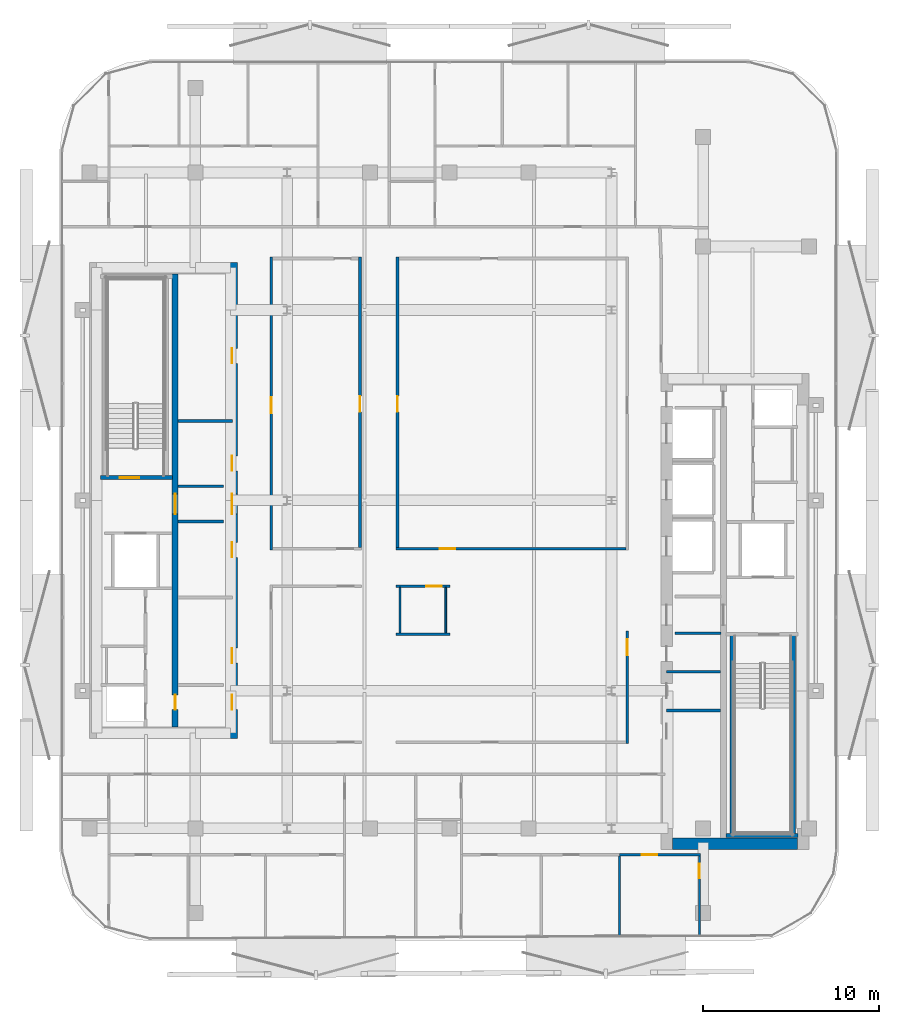
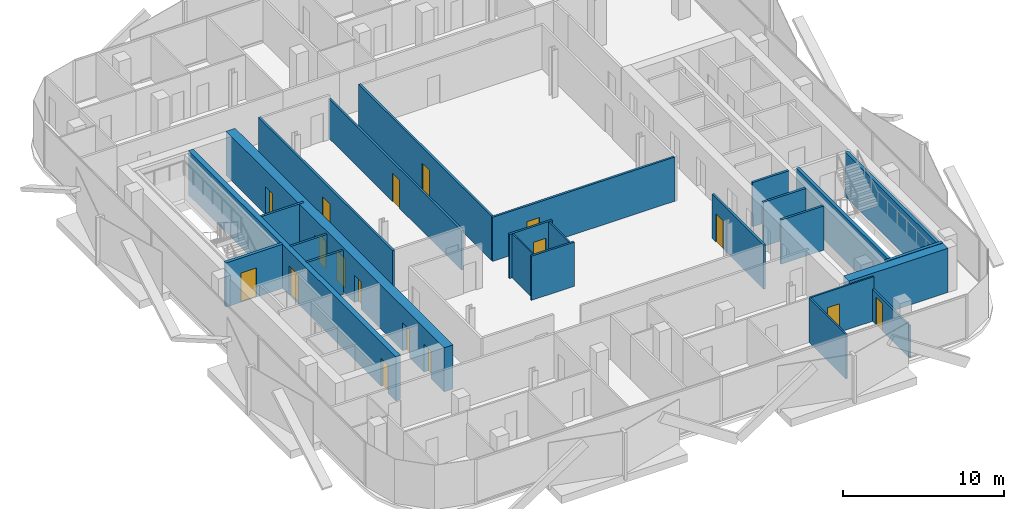
# One storey, part 4 of 14: 25 walls, 17 doors, 17 openings.
"""IFC4 building model written with IfcOpenShell, lengths in metres."""

from ifc_helpers import new_model, si_unit, direction, frame, frame_2d, origin, place, context, subcontext, project, spatial, rectangle, extrude, material, layer, layer_set, type_object, element, fill, save


model = new_model("IFC4")

# Units and contexts
model_context = context("Model", 3, precision=1e-05, world=origin(), true_north=direction((0.0, 1.0)))
body_context = subcontext(model_context, "Body", "Model", "MODEL_VIEW")
ifc_project = project(units=[si_unit("LENGTHUNIT", "METRE"), si_unit("AREAUNIT", "SQUARE_METRE"), si_unit("VOLUMEUNIT", "CUBIC_METRE"), si_unit("PLANEANGLEUNIT", "RADIAN"), si_unit("MASSUNIT", "GRAM", prefix="KILO")], contexts=[model_context])

# Site, building, storey
site_placement = place(None, origin())
site = spatial("IfcSite", under=ifc_project, at=site_placement, CompositionType="ELEMENT")
building_placement = place(site_placement, origin())
building = spatial("IfcBuilding", under=site, at=building_placement, Name="Khairoan Windgate Tower", CompositionType="ELEMENT")
storey_placement = place(building_placement, frame((0.0, 0.0, 233.199951171875)))
storey = spatial("IfcBuildingStorey", under=building, at=storey_placement, Name="L54", CompositionType="ELEMENT", Elevation=233.199951171875)

# Walls
ifc_material_1 = material(Name="Moisture-Resistant Gypsum Partition", Category="gypsum")
ifc_layer_1 = layer(ifc_material_1, 0.10009765625, Name="Moisture-Resistant Gypsum Partition")
ifc_layer_set_1 = layer_set([ifc_layer_1], Name="Moisture-Resistant Gypsum Partition")
wall_type_1 = type_object("IfcWallType", Name="Bathroom Wet-Area Partition Wall", PredefinedType="PARTITIONING", material=ifc_layer_set_1)
for number, where, z_axis, x_axis, name in (
    (1, (-0.199951171875, -4.93994140625, 0.0), (0.0, 0.0, 1.0), (0.0, -1.0, 0.0), "L54 Wet Room Side Wall 093"),
    (2, (-2.7900390625, -7.510009765625, 0.0), (0.0, 0.0, 1.0), (0.0, 1.0, 0.0), "L54 Wet Room Side Wall 094"),
):
    element("IfcWall", number, at=place(storey_placement, frame(where, z_axis=z_axis, x_axis=x_axis)), inside=storey, type_object=wall_type_1, Name=name, PredefinedType="PARTITIONING", context=body_context, shape_type="SweptSolid", body=[
        extrude(rectangle(XDim=2.570068359375, YDim=0.10009765625, at=frame_2d((1.28515625, 0.0))), origin(), (0.0, 0.0, 1.0), 3.340087890625),
    ])
ifc_material_2 = material(Name="Concrete C40/50", Category="concrete")
ifc_layer_2 = layer(ifc_material_2, 0.159912109375, Name="Concrete C40/50")
ifc_layer_set_2 = layer_set([ifc_layer_2], Name="Concrete C40/50")
wall_type_2 = type_object("IfcWallType", Name="Core and Hoistway Enclosure Wall", PredefinedType="STANDARD", material=ifc_layer_set_2)
for number, where, z_axis, x_axis, name in (
    (3, (-15.39990234375, 0.800048828125, 0.0), (0.0, 0.0, 1.0), (1.0, 0.0, 0.0), "L54 Core Shaft Wall SW-WV1-L54"),
    (4, (-15.39990234375, -1.199951171875, 0.0), (0.0, 0.0, 1.0), (1.0, 0.0, 0.0), "L54 Core Shaft Wall SW-WV2-L54"),
    (5, (12.800048828125, -7.5400390625, 0.0), (0.0, 0.0, 1.0), (1.0, 0.0, 0.0), "L54 Core Shaft Wall SW-EV2-L54"),
):
    element("IfcWall", number, at=place(storey_placement, frame(where, z_axis=z_axis, x_axis=x_axis)), inside=storey, type_object=wall_type_2, Name=name, PredefinedType="STANDARD", context=body_context, shape_type="SweptSolid", body=[
        extrude(rectangle(XDim=2.599853515625, YDim=0.159912109375, at=frame_2d((1.2998046875, 0.0))), origin(), (0.0, 0.0, 1.0), 3.340087890625),
    ])
ifc_material_3 = material(Name="Acoustic Fire-Rated Gypsum Partition", Category="gypsum")
ifc_layer_3 = layer(ifc_material_3, 0.139892578125, Name="Acoustic Fire-Rated Gypsum Partition")
ifc_layer_set_3 = layer_set([ifc_layer_3], Name="Acoustic Fire-Rated Gypsum Partition")
wall_type_3 = type_object("IfcWallType", Name="Inter-Tenancy Compartment Wall", PredefinedType="PARTITIONING", material=ifc_layer_set_3)
wall_1_placement = place(storey_placement, frame((-3.030029296875, -7.580078125, 0.0), z_axis=(0.0, 0.0, 1.0), x_axis=(1.0, 0.0, 0.0)))
element("IfcWall", 6, at=wall_1_placement, inside=storey, type_object=wall_type_3, Name="L54 Interior Partition 090", PredefinedType="PARTITIONING", context=body_context, shape_type="SweptSolid", body=[
    extrude(rectangle(XDim=3.070068359375, YDim=0.139892578125, at=frame_2d((1.53515625, 0.0))), origin(), (0.0, 0.0, 1.0), 3.340087890625),
])

# Wall, opening, door
ifc_material_4 = material(Name="Gypsum Stud Partition", Category="gypsum")
ifc_layer_4 = layer(ifc_material_4, 0.1201171875, Name="Gypsum Stud Partition")
ifc_layer_set_4 = layer_set([ifc_layer_4], Name="Gypsum Stud Partition")
wall_type_4 = type_object("IfcWallType", Name="Internal Room Partition Wall", PredefinedType="PARTITIONING", material=ifc_layer_set_4)
wall_2_placement = place(storey_placement, frame((9.6630859375, -20.10009765625, 0.0), z_axis=(0.0, 0.0, 1.0), x_axis=(1.0, 0.0, 0.0)))
wall_2 = element("IfcWall", 7, at=wall_2_placement, inside=storey, type_object=wall_type_4, Name="L54 Interior Partition 086", PredefinedType="PARTITIONING", context=body_context, shape_type="SweptSolid", body=[
    extrude(rectangle(XDim=4.5869140625, YDim=0.1201171875, at=frame_2d((2.29345703125, 0.0))), origin(), (0.0, 0.0, 1.0), 3.340087890625),
])
opening_1_placement = place(wall_2_placement, frame((1.261962890625, 0.0, 0.0)))
opening_1 = element("IfcOpeningElement", 8, at=opening_1_placement, cuts=wall_2, Name="Opening ID-RM", PredefinedType="OPENING", context=body_context, shape_type="SweptSolid", body=[
    extrude(rectangle(XDim=0.860107421875, YDim=2.14990234375, at=frame_2d((0.43017578125, 1.074951171875))), frame((0.0, 0.070068359375, 0.0), z_axis=(0.0, -1.0, 0.0), x_axis=(1.0, 0.0, 0.0)), (0.0, 0.0, 1.0), 0.14013671875),
])
ifc_material_5 = material(Name="Teak Veneer Timber Leaf", Category="wood")
door_type_1 = type_object("IfcDoorType", Name="Internal Bedroom and Office Door ID-RM 860x2150", OperationType="NOTDEFINED", PredefinedType="DOOR", material=ifc_material_5)
door_1_placement = place(opening_1_placement, origin())
door_1 = element("IfcDoor", 9, at=door_1_placement, inside=storey, type_object=door_type_1, Name="L54 L54-58-L54-62 Door", OperationType="SINGLE_SWING_LEFT", OverallHeight=2.14990234375, OverallWidth=0.860107421875, PredefinedType="DOOR", context=body_context, shape_type="SweptSolid", body=[
    extrude(rectangle(XDim=0.860107421875, YDim=2.14990234375, at=frame_2d((0.43017578125, 1.074951171875))), frame((0.0, 0.02490234375, 0.0), z_axis=(0.0, -1.0, 0.0), x_axis=(1.0, 0.0, 0.0)), (0.0, 0.0, 1.0), 0.050048828125),
])
fill(opening_1, door_1)

wall_3_placement = place(storey_placement, frame((14.18994140625, -24.70458984375, 0.0), z_axis=(0.0, 0.0, 1.0), x_axis=(0.0, 1.0, 0.0)))
wall_3 = element("IfcWall", 10, at=wall_3_placement, inside=storey, type_object=wall_type_4, Name="L54 Interior Partition 087", PredefinedType="PARTITIONING", context=body_context, shape_type="SweptSolid", body=[
    extrude(rectangle(XDim=4.544677734375, YDim=0.1201171875, at=frame_2d((2.2724609375, 0.0))), origin(), (0.0, 0.0, 1.0), 2.43994140625),
])
opening_2_placement = place(wall_3_placement, frame((3.28466796875, 0.0, 0.0)))
opening_2 = element("IfcOpeningElement", 11, at=opening_2_placement, cuts=wall_3, Name="Opening ID-BTH", PredefinedType="OPENING", context=body_context, shape_type="SweptSolid", body=[
    extrude(rectangle(XDim=0.800048828125, YDim=2.10009765625, at=frame_2d((0.39990234375, 1.050048828125))), frame((0.0, 0.070068359375, 0.0), z_axis=(0.0, -1.0, 0.0), x_axis=(1.0, 0.0, 0.0)), (0.0, 0.0, 1.0), 0.14013671875),
])
ifc_material_6 = material(Name="Teak Veneer Timber Leaf", Category="wood")
door_type_2 = type_object("IfcDoorType", Name="Internal Bathroom Door ID-BTH 800x2100", OperationType="NOTDEFINED", PredefinedType="DOOR", material=ifc_material_6)
door_2_placement = place(opening_2_placement, origin())
door_2 = element("IfcDoor", 12, at=door_2_placement, inside=storey, type_object=door_type_2, Name="L54 L54-59-L54-62 Door", OperationType="SINGLE_SWING_RIGHT", OverallHeight=2.10009765625, OverallWidth=0.800048828125, PredefinedType="DOOR", context=body_context, shape_type="SweptSolid", body=[
    extrude(rectangle(XDim=0.800048828125, YDim=2.10009765625, at=frame_2d((0.39990234375, 1.050048828125))), frame((0.0, 0.02490234375, 0.0), z_axis=(0.0, -1.0, 0.0), x_axis=(1.0, 0.0, 0.0)), (0.0, 0.0, 1.0), 0.050048828125),
])
fill(opening_2, door_2)

# Walls
wall_4_placement = place(storey_placement, frame((9.6630859375, -24.726318359375, 0.0), z_axis=(0.0, 0.0, 1.0), x_axis=(0.0, 1.0, 0.0)))
element("IfcWall", 13, at=wall_4_placement, inside=storey, type_object=wall_type_4, Name="L54 Interior Partition 089", PredefinedType="PARTITIONING", context=body_context, shape_type="SweptSolid", body=[
    extrude(rectangle(XDim=4.56640625, YDim=0.1201171875, at=frame_2d((2.283203125, 0.0))), origin(), (0.0, 0.0, 1.0), 3.340087890625),
])
ifc_material_7 = material(Name="Concrete C40/50", Category="concrete")
ifc_layer_5 = layer(ifc_material_7, 0.159912109375, Name="Concrete C40/50")
ifc_layer_set_5 = layer_set([ifc_layer_5], Name="Concrete C40/50")
wall_type_5 = type_object("IfcWallType", Name="Plant and Refuge Compartment Wall", PredefinedType="PARTITIONING", material=ifc_layer_set_5)
for number, where, z_axis, x_axis, name in (
    (14, (-15.375, 4.5, 0.0), (0.0, 0.0, 1.0), (1.0, 0.0, 0.0), "L54 Interior Partition 006"),
    (15, (12.31005859375, -11.919921875, 0.0), (0.0, 0.0, 1.0), (1.0, 0.0, 0.0), "L54 Interior Partition 013"),
    (16, (12.31005859375, -9.719970703125, 0.0), (0.0, 0.0, 1.0), (1.0, 0.0, 0.0), "L54 Interior Partition 014"),
):
    element("IfcWall", number, at=place(storey_placement, frame(where, z_axis=z_axis, x_axis=x_axis)), inside=storey, type_object=wall_type_5, Name=name, PredefinedType="PARTITIONING", context=body_context, shape_type="SweptSolid", body=[
        extrude(rectangle(XDim=3.06494140625, YDim=0.159912109375, at=frame_2d((1.532470703125, 0.0))), origin(), (0.0, 0.0, 1.0), 3.340087890625),
    ])

# Wall, opening, door
ifc_material_8 = material(Name="Acoustic Fire-Rated Gypsum Partition", Category="gypsum")
ifc_layer_6 = layer(ifc_material_8, 0.14990234375, Name="Acoustic Fire-Rated Gypsum Partition")
ifc_layer_set_6 = layer_set([ifc_layer_6], Name="Acoustic Fire-Rated Gypsum Partition")
wall_type_6 = type_object("IfcWallType", Name="Rated Corridor Partition Wall", PredefinedType="PARTITIONING", material=ifc_layer_set_6)
wall_5_placement = place(storey_placement, frame((-10.10009765625, -2.81005859375, 0.0), z_axis=(0.0, 0.0, 1.0), x_axis=(0.0, 1.0, 0.0)))
wall_5 = element("IfcWall", 17, at=wall_5_placement, inside=storey, type_object=wall_type_6, Name="L54 Interior Partition 015", PredefinedType="PARTITIONING", context=body_context, shape_type="SweptSolid", body=[
    extrude(rectangle(XDim=16.60498046875, YDim=0.14990234375, at=frame_2d((8.302490234375, 0.0))), origin(), (0.0, 0.0, 1.0), 3.340087890625),
])
opening_3_placement = place(wall_5_placement, frame((7.751220703125, 0.0, 0.0)))
opening_3 = element("IfcOpeningElement", 18, at=opening_3_placement, cuts=wall_5, Name="Opening FD-ENT", PredefinedType="OPENING", context=body_context, shape_type="SweptSolid", body=[
    extrude(rectangle(XDim=0.89990234375, YDim=2.14990234375, at=frame_2d((0.449951171875, 1.074951171875))), frame((0.0, 0.0849609375, 0.0), z_axis=(0.0, -1.0, 0.0), x_axis=(1.0, 0.0, 0.0)), (0.0, 0.0, 1.0), 0.169921875),
])
ifc_material_9 = material(Name="Timber Fire-Rated Core", Category="wood")
door_type_3 = type_object("IfcDoorType", Name="Unit and Office Fire Entrance Door FD-ENT 900x2150", OperationType="NOTDEFINED", PredefinedType="DOOR", material=ifc_material_9)
door_3_placement = place(opening_3_placement, origin())
door_3 = element("IfcDoor", 19, at=door_3_placement, inside=storey, type_object=door_type_3, Name="L54 L54-29-L54-64 Door", OperationType="SINGLE_SWING_LEFT", OverallHeight=2.14990234375, OverallWidth=0.89990234375, PredefinedType="DOOR", context=body_context, shape_type="SweptSolid", body=[
    extrude(rectangle(XDim=0.89990234375, YDim=2.14990234375, at=frame_2d((0.449951171875, 1.074951171875))), frame((0.0, 0.02490234375, 0.0), z_axis=(0.0, -1.0, 0.0), x_axis=(1.0, 0.0, 0.0)), (0.0, 0.0, 1.0), 0.050048828125),
])
fill(opening_3, door_3)

wall_6_placement = place(storey_placement, frame((10.10009765625, -13.794921875, 0.0), z_axis=(0.0, 0.0, 1.0), x_axis=(0.0, 1.0, 0.0)))
wall_6 = element("IfcWall", 20, at=wall_6_placement, inside=storey, type_object=wall_type_6, Name="L54 Interior Partition 019", PredefinedType="PARTITIONING", context=body_context, shape_type="SweptSolid", body=[
    extrude(rectangle(XDim=6.375, YDim=0.14990234375, at=frame_2d((3.1875, 0.0))), origin(), (0.0, 0.0, 1.0), 3.340087890625),
])
opening_4_placement = place(wall_6_placement, frame((5.014892578125, 0.0, 0.0)))
opening_4 = element("IfcOpeningElement", 21, at=opening_4_placement, cuts=wall_6, Name="Opening FD-ENT", PredefinedType="OPENING", context=body_context, shape_type="SweptSolid", body=[
    extrude(rectangle(XDim=0.89990234375, YDim=2.14990234375, at=frame_2d((0.449951171875, 1.074951171875))), frame((0.0, 0.0849609375, 0.0), z_axis=(0.0, -1.0, 0.0), x_axis=(1.0, 0.0, 0.0)), (0.0, 0.0, 1.0), 0.169921875),
])
door_4_placement = place(opening_4_placement, origin())
door_4 = element("IfcDoor", 22, at=door_4_placement, inside=storey, type_object=door_type_3, Name="L54 L54-30-L54-68 Door", OperationType="SINGLE_SWING_LEFT", OverallHeight=2.14990234375, OverallWidth=0.89990234375, PredefinedType="DOOR", context=body_context, shape_type="SweptSolid", body=[
    extrude(rectangle(XDim=0.89990234375, YDim=2.14990234375, at=frame_2d((0.449951171875, 1.074951171875))), frame((0.0, 0.02490234375, 0.0), z_axis=(0.0, -1.0, 0.0), x_axis=(1.0, 0.0, 0.0)), (0.0, 0.0, 1.0), 0.050048828125),
])
fill(opening_4, door_4)

wall_7_placement = place(storey_placement, frame((-3.010009765625, -2.735107421875, 0.0), z_axis=(0.0, 0.0, 1.0), x_axis=(1.0, 0.0, 0.0)))
wall_7 = element("IfcWall", 23, at=wall_7_placement, inside=storey, type_object=wall_type_6, Name="L54 Interior Partition 022", PredefinedType="PARTITIONING", context=body_context, shape_type="SweptSolid", body=[
    extrude(rectangle(XDim=13.034912109375, YDim=0.14990234375, at=frame_2d((6.517578125, 0.0))), origin(), (0.0, 0.0, 1.0), 3.340087890625),
])
opening_5_placement = place(wall_7_placement, frame((2.462646484375, 0.0, 0.0)))
opening_5 = element("IfcOpeningElement", 24, at=opening_5_placement, cuts=wall_7, Name="Opening FD-ENT", PredefinedType="OPENING", context=body_context, shape_type="SweptSolid", body=[
    extrude(rectangle(XDim=0.89990234375, YDim=2.14990234375, at=frame_2d((0.449951171875, 1.074951171875))), frame((0.0, 0.0849609375, 0.0), z_axis=(0.0, -1.0, 0.0), x_axis=(1.0, 0.0, 0.0)), (0.0, 0.0, 1.0), 0.169921875),
])
door_5_placement = place(opening_5_placement, origin())
door_5 = element("IfcDoor", 25, at=door_5_placement, inside=storey, type_object=door_type_3, Name="L54 L54-31-L54-66 Door", OperationType="SINGLE_SWING_RIGHT", OverallHeight=2.14990234375, OverallWidth=0.89990234375, PredefinedType="DOOR", context=body_context, shape_type="SweptSolid", body=[
    extrude(rectangle(XDim=0.89990234375, YDim=2.14990234375, at=frame_2d((0.449951171875, 1.074951171875))), frame((0.0, 0.02490234375, 0.0), z_axis=(0.0, -1.0, 0.0), x_axis=(1.0, 0.0, 0.0)), (0.0, 0.0, 1.0), 0.050048828125),
])
fill(opening_5, door_5)

wall_8_placement = place(storey_placement, frame((-3.030029296875, -4.864990234375, 0.0), z_axis=(0.0, 0.0, 1.0), x_axis=(1.0, 0.0, 0.0)))
wall_8 = element("IfcWall", 26, at=wall_8_placement, inside=storey, type_object=wall_type_6, Name="L54 Interior Partition 023", PredefinedType="PARTITIONING", context=body_context, shape_type="SweptSolid", body=[
    extrude(rectangle(XDim=3.070068359375, YDim=0.14990234375, at=frame_2d((1.53515625, 0.0))), origin(), (0.0, 0.0, 1.0), 3.340087890625),
])
opening_6_placement = place(wall_8_placement, frame((1.7099609375, 0.0, 0.0)))
opening_6 = element("IfcOpeningElement", 27, at=opening_6_placement, cuts=wall_8, Name="Opening FD-ENT", PredefinedType="OPENING", context=body_context, shape_type="SweptSolid", body=[
    extrude(rectangle(XDim=0.89990234375, YDim=2.14990234375, at=frame_2d((0.449951171875, 1.074951171875))), frame((0.0, 0.0849609375, 0.0), z_axis=(0.0, -1.0, 0.0), x_axis=(1.0, 0.0, 0.0)), (0.0, 0.0, 1.0), 0.169921875),
])
door_6_placement = place(opening_6_placement, origin())
door_6 = element("IfcDoor", 28, at=door_6_placement, inside=storey, type_object=door_type_3, Name="L54 L54-31-L54-67 Door", OperationType="SINGLE_SWING_LEFT", OverallHeight=2.14990234375, OverallWidth=0.89990234375, PredefinedType="DOOR", context=body_context, shape_type="SweptSolid", body=[
    extrude(rectangle(XDim=0.89990234375, YDim=2.14990234375, at=frame_2d((0.449951171875, 1.074951171875))), frame((0.0, 0.02490234375, 0.0), z_axis=(0.0, -1.0, 0.0), x_axis=(1.0, 0.0, 0.0)), (0.0, 0.0, 1.0), 0.050048828125),
])
fill(opening_6, door_6)

wall_9_placement = place(storey_placement, frame((-5.06494140625, -2.659912109375, 0.0), z_axis=(0.0, 0.0, 1.0), x_axis=(0.0, 1.0, 0.0)))
wall_9 = element("IfcWall", 29, at=wall_9_placement, inside=storey, type_object=wall_type_6, Name="L54 Interior Partition 024", PredefinedType="PARTITIONING", context=body_context, shape_type="SweptSolid", body=[
    extrude(rectangle(XDim=16.454833984375, YDim=0.14990234375, at=frame_2d((8.2275390625, 0.0))), origin(), (0.0, 0.0, 1.0), 2.989990234375),
])
opening_7_placement = place(wall_9_placement, frame((7.67724609375, 0.0, 0.0)))
opening_7 = element("IfcOpeningElement", 30, at=opening_7_placement, cuts=wall_9, Name="Opening FD-ENT", PredefinedType="OPENING", context=body_context, shape_type="SweptSolid", body=[
    extrude(rectangle(XDim=0.89990234375, YDim=2.14990234375, at=frame_2d((0.449951171875, 1.074951171875))), frame((0.0, 0.0849609375, 0.0), z_axis=(0.0, -1.0, 0.0), x_axis=(1.0, 0.0, 0.0)), (0.0, 0.0, 1.0), 0.169921875),
])
door_7_placement = place(opening_7_placement, origin())
door_7 = element("IfcDoor", 31, at=door_7_placement, inside=storey, type_object=door_type_3, Name="L54 L54-32-L54-64 Door", OperationType="SINGLE_SWING_RIGHT", OverallHeight=2.14990234375, OverallWidth=0.89990234375, PredefinedType="DOOR", context=body_context, shape_type="SweptSolid", body=[
    extrude(rectangle(XDim=0.89990234375, YDim=2.14990234375, at=frame_2d((0.449951171875, 1.074951171875))), frame((0.0, 0.02490234375, 0.0), z_axis=(0.0, -1.0, 0.0), x_axis=(1.0, 0.0, 0.0)), (0.0, 0.0, 1.0), 0.050048828125),
])
fill(opening_7, door_7)

wall_10_placement = place(storey_placement, frame((-2.93505859375, -2.659912109375, 0.0), z_axis=(0.0, 0.0, 1.0), x_axis=(0.0, 1.0, 0.0)))
wall_10 = element("IfcWall", 32, at=wall_10_placement, inside=storey, type_object=wall_type_6, Name="L54 Interior Partition 025", PredefinedType="PARTITIONING", context=body_context, shape_type="SweptSolid", body=[
    extrude(rectangle(XDim=16.454833984375, YDim=0.14990234375, at=frame_2d((8.2275390625, 0.0))), origin(), (0.0, 0.0, 1.0), 3.340087890625),
])
opening_8_placement = place(wall_10_placement, frame((7.67724609375, 0.0, 0.0)))
opening_8 = element("IfcOpeningElement", 33, at=opening_8_placement, cuts=wall_10, Name="Opening FD-ENT", PredefinedType="OPENING", context=body_context, shape_type="SweptSolid", body=[
    extrude(rectangle(XDim=0.89990234375, YDim=2.14990234375, at=frame_2d((0.449951171875, 1.074951171875))), frame((0.0, 0.0849609375, 0.0), z_axis=(0.0, -1.0, 0.0), x_axis=(1.0, 0.0, 0.0)), (0.0, 0.0, 1.0), 0.169921875),
])
door_8_placement = place(opening_8_placement, origin())
door_8 = element("IfcDoor", 34, at=door_8_placement, inside=storey, type_object=door_type_3, Name="L54 L54-32-L54-66 Door", OperationType="SINGLE_SWING_LEFT", OverallHeight=2.14990234375, OverallWidth=0.89990234375, PredefinedType="DOOR", context=body_context, shape_type="SweptSolid", body=[
    extrude(rectangle(XDim=0.89990234375, YDim=2.14990234375, at=frame_2d((0.449951171875, 1.074951171875))), frame((0.0, 0.02490234375, 0.0), z_axis=(0.0, -1.0, 0.0), x_axis=(1.0, 0.0, 0.0)), (0.0, 0.0, 1.0), 0.050048828125),
])
fill(opening_8, door_8)

# Wall
ifc_material_10 = material(Name="Concrete C60/75", Category="concrete")
ifc_layer_7 = layer(ifc_material_10, 0.64990234375, Name="Concrete C60/75")
ifc_layer_set_7 = layer_set([ifc_layer_7], Name="Concrete C60/75")
wall_type_7 = type_object("IfcWallType", Name="Shear Wall CW-E2 650mm", PredefinedType="SHEAR", material=ifc_layer_set_7)
wall_11_placement = place(storey_placement, frame((12.64990234375, -19.47509765625, 0.0), z_axis=(0.0, 0.0, 1.0), x_axis=(1.0, 0.0, 0.0)))
element("IfcWall", 35, at=wall_11_placement, inside=storey, type_object=wall_type_7, Name="E Core South Shear Wall L54", PredefinedType="SHEAR", context=body_context, shape_type="SweptSolid", body=[
    extrude(rectangle(XDim=7.10009765625, YDim=0.64990234375, at=frame_2d((3.550048828125, 0.0))), origin(), (0.0, 0.0, 1.0), 3.340087890625),
])

# Wall, openings, doors
ifc_material_11 = material(Name="Concrete C60/75", Category="concrete")
ifc_layer_8 = layer(ifc_material_11, 0.64990234375, Name="Concrete C60/75")
ifc_layer_set_8 = layer_set([ifc_layer_8], Name="Concrete C60/75")
wall_type_8 = type_object("IfcWallType", Name="Shear Wall CW-W2 650mm", PredefinedType="SHEAR", material=ifc_layer_set_8)
wall_12_placement = place(storey_placement, frame((-12.324951171875, -13.5, 0.0), z_axis=(0.0, 0.0, 1.0), x_axis=(0.0, 1.0, 0.0)))
wall_12 = element("IfcWall", 36, at=wall_12_placement, inside=storey, type_object=wall_type_8, Name="W Core East Shear Wall L54", PredefinedType="SHEAR", context=body_context, shape_type="SweptSolid", body=[
    extrude(rectangle(XDim=27.0, YDim=0.64990234375, at=frame_2d((13.5, 0.0))), origin(), (0.0, 0.0, 1.0), 3.340087890625),
])
opening_9_placement = place(wall_12_placement, frame((15.175048828125, 0.0, 0.0)))
opening_9 = element("IfcOpeningElement", 37, at=opening_9_placement, cuts=wall_12, Name="Opening FD-SRV", PredefinedType="OPENING", context=body_context, shape_type="SweptSolid", body=[
    extrude(rectangle(XDim=0.85009765625, YDim=2.10009765625, at=frame_2d((0.425048828125, 1.050048828125))), frame((0.0, 0.3349609375, 0.0), z_axis=(0.0, -1.0, 0.0), x_axis=(1.0, 0.0, 0.0)), (0.0, 0.0, 1.0), 0.669921875),
])
opening_10_placement = place(wall_12_placement, frame((21.27490234375, 0.0, 0.0)))
opening_10 = element("IfcOpeningElement", 38, at=opening_10_placement, cuts=wall_12, Name="Opening FD-SRV", PredefinedType="OPENING", context=body_context, shape_type="SweptSolid", body=[
    extrude(rectangle(XDim=0.85009765625, YDim=2.10009765625, at=frame_2d((0.425048828125, 1.050048828125))), frame((0.0, 0.3349609375, 0.0), z_axis=(0.0, -1.0, 0.0), x_axis=(1.0, 0.0, 0.0)), (0.0, 0.0, 1.0), 0.669921875),
])
opening_11_placement = place(wall_12_placement, frame((4.27490234375, 0.0, 0.0)))
opening_11 = element("IfcOpeningElement", 39, at=opening_11_placement, cuts=wall_12, Name="Opening FD-SRV", PredefinedType="OPENING", context=body_context, shape_type="SweptSolid", body=[
    extrude(rectangle(XDim=0.85009765625, YDim=2.10009765625, at=frame_2d((0.425048828125, 1.050048828125))), frame((0.0, 0.3349609375, 0.0), z_axis=(0.0, -1.0, 0.0), x_axis=(1.0, 0.0, 0.0)), (0.0, 0.0, 1.0), 0.669921875),
])
opening_12_placement = place(wall_12_placement, frame((10.27490234375, 0.0, 0.0)))
opening_12 = element("IfcOpeningElement", 40, at=opening_12_placement, cuts=wall_12, Name="Opening FD-SRV", PredefinedType="OPENING", context=body_context, shape_type="SweptSolid", body=[
    extrude(rectangle(XDim=0.85009765625, YDim=2.10009765625, at=frame_2d((0.425048828125, 1.050048828125))), frame((0.0, 0.3349609375, 0.0), z_axis=(0.0, -1.0, 0.0), x_axis=(1.0, 0.0, 0.0)), (0.0, 0.0, 1.0), 0.669921875),
])
opening_13_placement = place(wall_12_placement, frame((12.72509765625, 0.0, 0.0)))
opening_13 = element("IfcOpeningElement", 41, at=opening_13_placement, cuts=wall_12, Name="Opening FD-FFL", PredefinedType="OPENING", context=body_context, shape_type="SweptSolid", body=[
    extrude(rectangle(XDim=1.14990234375, YDim=2.199951171875, at=frame_2d((0.574951171875, 1.10009765625))), frame((0.0, 0.3349609375, 0.0), z_axis=(0.0, -1.0, 0.0), x_axis=(1.0, 0.0, 0.0)), (0.0, 0.0, 1.0), 0.669921875),
])
opening_14_placement = place(wall_12_placement, frame((1.625, 0.0, 0.0)))
opening_14 = element("IfcOpeningElement", 42, at=opening_14_placement, cuts=wall_12, Name="Opening FD-SRV", PredefinedType="OPENING", context=body_context, shape_type="SweptSolid", body=[
    extrude(rectangle(XDim=0.85009765625, YDim=2.10009765625, at=frame_2d((0.425048828125, 1.050048828125))), frame((0.0, 0.3349609375, 0.0), z_axis=(0.0, -1.0, 0.0), x_axis=(1.0, 0.0, 0.0)), (0.0, 0.0, 1.0), 0.669921875),
])
ifc_material_12 = material(Name="Steel S355", Category="steel")
door_type_4 = type_object("IfcDoorType", Name="Core Service and Riser Fire Door FD-SRV 850x2100", OperationType="NOTDEFINED", PredefinedType="DOOR", material=ifc_material_12)
door_9_placement = place(opening_9_placement, origin())
door_9 = element("IfcDoor", 43, at=door_9_placement, inside=storey, type_object=door_type_4, Name="L54 Upper Core Room Door B1-1", OperationType="SINGLE_SWING_RIGHT", OverallHeight=2.10009765625, OverallWidth=0.85009765625, PredefinedType="DOOR", context=body_context, shape_type="SweptSolid", body=[
    extrude(rectangle(XDim=0.85009765625, YDim=2.10009765625, at=frame_2d((0.425048828125, 1.050048828125))), frame((0.0, 0.02490234375, 0.0), z_axis=(0.0, -1.0, 0.0), x_axis=(1.0, 0.0, 0.0)), (0.0, 0.0, 1.0), 0.050048828125),
])
fill(opening_9, door_9)
door_10_placement = place(opening_10_placement, origin())
door_10 = element("IfcDoor", 44, at=door_10_placement, inside=storey, type_object=door_type_4, Name="L54 Upper Core Room Door B1-2", OperationType="SINGLE_SWING_LEFT", OverallHeight=2.10009765625, OverallWidth=0.85009765625, PredefinedType="DOOR", context=body_context, shape_type="SweptSolid", body=[
    extrude(rectangle(XDim=0.85009765625, YDim=2.10009765625, at=frame_2d((0.425048828125, 1.050048828125))), frame((0.0, 0.02490234375, 0.0), z_axis=(0.0, -1.0, 0.0), x_axis=(1.0, 0.0, 0.0)), (0.0, 0.0, 1.0), 0.050048828125),
])
fill(opening_10, door_10)
door_11_placement = place(opening_11_placement, origin())
door_11 = element("IfcDoor", 45, at=door_11_placement, inside=storey, type_object=door_type_4, Name="L54 Upper Core Room Door B2-1", OperationType="SINGLE_SWING_RIGHT", OverallHeight=2.10009765625, OverallWidth=0.85009765625, PredefinedType="DOOR", context=body_context, shape_type="SweptSolid", body=[
    extrude(rectangle(XDim=0.85009765625, YDim=2.10009765625, at=frame_2d((0.425048828125, 1.050048828125))), frame((0.0, 0.02490234375, 0.0), z_axis=(0.0, -1.0, 0.0), x_axis=(1.0, 0.0, 0.0)), (0.0, 0.0, 1.0), 0.050048828125),
])
fill(opening_11, door_11)
door_12_placement = place(opening_12_placement, origin())
door_12 = element("IfcDoor", 46, at=door_12_placement, inside=storey, type_object=door_type_4, Name="L54 Upper Core Room Door B2-2", OperationType="SINGLE_SWING_LEFT", OverallHeight=2.10009765625, OverallWidth=0.85009765625, PredefinedType="DOOR", context=body_context, shape_type="SweptSolid", body=[
    extrude(rectangle(XDim=0.85009765625, YDim=2.10009765625, at=frame_2d((0.425048828125, 1.050048828125))), frame((0.0, 0.02490234375, 0.0), z_axis=(0.0, -1.0, 0.0), x_axis=(1.0, 0.0, 0.0)), (0.0, 0.0, 1.0), 0.050048828125),
])
fill(opening_12, door_12)
door_13_placement = place(opening_14_placement, origin())
door_13 = element("IfcDoor", 47, at=door_13_placement, inside=storey, type_object=door_type_4, Name="L54 West Core Service Vestibule Outer Door", OperationType="SINGLE_SWING_LEFT", OverallHeight=2.10009765625, OverallWidth=0.85009765625, PredefinedType="DOOR", context=body_context, shape_type="SweptSolid", body=[
    extrude(rectangle(XDim=0.85009765625, YDim=2.10009765625, at=frame_2d((0.425048828125, 1.050048828125))), frame((0.0, 0.02490234375, 0.0), z_axis=(0.0, -1.0, 0.0), x_axis=(1.0, 0.0, 0.0)), (0.0, 0.0, 1.0), 0.050048828125),
])
fill(opening_14, door_13)
ifc_material_13 = material(Name="Steel S355", Category="steel")
door_type_5 = type_object("IfcDoorType", Name="Firefighting Lobby Fire Door FD-FFL 1150x2200", OperationType="NOTDEFINED", PredefinedType="DOOR", material=ifc_material_13)
door_14_placement = place(opening_13_placement, origin())
door_14 = element("IfcDoor", 48, at=door_14_placement, inside=storey, type_object=door_type_5, Name="L54 West Core Vestibule Entry Door", OperationType="SINGLE_SWING_LEFT", OverallHeight=2.199951171875, OverallWidth=1.14990234375, PredefinedType="DOOR", context=body_context, shape_type="SweptSolid", body=[
    extrude(rectangle(XDim=1.14990234375, YDim=2.199951171875, at=frame_2d((0.574951171875, 1.10009765625))), frame((0.0, 0.02490234375, 0.0), z_axis=(0.0, -1.0, 0.0), x_axis=(1.0, 0.0, 0.0)), (0.0, 0.0, 1.0), 0.050048828125),
])
fill(opening_13, door_14)

ifc_material_14 = material(Name="Concrete C60/75", Category="concrete")
ifc_layer_9 = layer(ifc_material_14, 0.35009765625, Name="Concrete C60/75")
ifc_layer_set_9 = layer_set([ifc_layer_9], Name="Concrete C60/75")
wall_type_9 = type_object("IfcWallType", Name="Shear Wall SW-1 350mm", PredefinedType="SHEAR", material=ifc_layer_set_9)
wall_13_placement = place(storey_placement, frame((-15.550048828125, -12.85009765625, 0.0), z_axis=(0.0, 0.0, 1.0), x_axis=(0.0, 1.0, 0.0)))
wall_13 = element("IfcWall", 49, at=wall_13_placement, inside=storey, type_object=wall_type_9, Name="W Core Spine Shear Wall L54", PredefinedType="SHEAR", context=body_context, shape_type="SweptSolid", body=[
    extrude(rectangle(XDim=25.7001953125, YDim=0.35009765625, at=frame_2d((12.85009765625, 0.0))), origin(), (0.0, 0.0, 1.0), 3.340087890625),
])
opening_15_placement = place(wall_13_placement, frame((12.074951171875, 0.0, 0.0)))
opening_15 = element("IfcOpeningElement", 50, at=opening_15_placement, cuts=wall_13, Name="Opening FD-FFL", PredefinedType="OPENING", context=body_context, shape_type="SweptSolid", body=[
    extrude(rectangle(XDim=1.14990234375, YDim=2.199951171875, at=frame_2d((0.574951171875, 1.10009765625))), frame((0.0, 0.18505859375, 0.0), z_axis=(0.0, -1.0, 0.0), x_axis=(1.0, 0.0, 0.0)), (0.0, 0.0, 1.0), 0.3701171875),
])
opening_16_placement = place(wall_13_placement, frame((0.97509765625, 0.0, 0.0)))
opening_16 = element("IfcOpeningElement", 51, at=opening_16_placement, cuts=wall_13, Name="Opening FD-SRV", PredefinedType="OPENING", context=body_context, shape_type="SweptSolid", body=[
    extrude(rectangle(XDim=0.85009765625, YDim=2.10009765625, at=frame_2d((0.425048828125, 1.050048828125))), frame((0.0, 0.18505859375, 0.0), z_axis=(0.0, -1.0, 0.0), x_axis=(1.0, 0.0, 0.0)), (0.0, 0.0, 1.0), 0.3701171875),
])
door_15_placement = place(opening_16_placement, origin())
door_15 = element("IfcDoor", 52, at=door_15_placement, inside=storey, type_object=door_type_4, Name="L54 West Core Service Passage Inner Door", OperationType="SINGLE_SWING_RIGHT", OverallHeight=2.10009765625, OverallWidth=0.85009765625, PredefinedType="DOOR", context=body_context, shape_type="SweptSolid", body=[
    extrude(rectangle(XDim=0.85009765625, YDim=2.10009765625, at=frame_2d((0.425048828125, 1.050048828125))), frame((0.0, 0.02490234375, 0.0), z_axis=(0.0, -1.0, 0.0), x_axis=(1.0, 0.0, 0.0)), (0.0, 0.0, 1.0), 0.050048828125),
])
fill(opening_16, door_15)
door_16_placement = place(opening_15_placement, origin())
door_16 = element("IfcDoor", 53, at=door_16_placement, inside=storey, type_object=door_type_5, Name="L54 West Firefighting Lobby Fire Door", OperationType="SINGLE_SWING_RIGHT", OverallHeight=2.199951171875, OverallWidth=1.14990234375, PredefinedType="DOOR", context=body_context, shape_type="SweptSolid", body=[
    extrude(rectangle(XDim=1.14990234375, YDim=2.199951171875, at=frame_2d((0.574951171875, 1.10009765625))), frame((0.0, 0.02490234375, 0.0), z_axis=(0.0, -1.0, 0.0), x_axis=(1.0, 0.0, 0.0)), (0.0, 0.0, 1.0), 0.050048828125),
])
fill(opening_15, door_16)

# Walls
ifc_material_15 = material(Name="Concrete C50/60", Category="concrete")
ifc_layer_10 = layer(ifc_material_15, 0.219970703125, Name="Concrete C50/60")
ifc_layer_set_10 = layer_set([ifc_layer_10], Name="Concrete C50/60")
wall_type_10 = type_object("IfcWallType", Name="Shear Wall SW-ST 220mm", PredefinedType="SHEAR", material=ifc_layer_set_10)
for number, where, z_axis, x_axis, name in (
    (54, (16.0400390625, -19.010009765625, 0.0), (0.0, 0.0, 1.0), (0.0, 1.0, 0.0), "L54 Stair ST1 West Bearing Wall"),
    (55, (19.530029296875, -19.010009765625, 0.0), (0.0, 0.0, 1.0), (0.0, 1.0, 0.0), "L54 Stair ST1 East Bearing Wall"),
):
    element("IfcWall", number, at=place(storey_placement, frame(where, z_axis=z_axis, x_axis=x_axis)), inside=storey, type_object=wall_type_10, Name=name, PredefinedType="SHEAR", context=body_context, shape_type="SweptSolid", body=[
        extrude(rectangle(XDim=11.419921875, YDim=0.219970703125, at=frame_2d((5.7099609375, 0.0))), origin(), (0.0, 0.0, 1.0), 3.340087890625),
    ])
wall_14_placement = place(storey_placement, frame((15.705078125, -19.010009765625, 0.0), z_axis=(0.0, 0.0, 1.0), x_axis=(1.0, 0.0, 0.0)))
element("IfcWall", 56, at=wall_14_placement, inside=storey, type_object=wall_type_10, Name="L54 Stair ST1 South Bearing Wall", PredefinedType="SHEAR", context=body_context, shape_type="SweptSolid", body=[
    extrude(rectangle(XDim=4.06494140625, YDim=0.219970703125, at=frame_2d((2.032470703125, 0.0))), origin(), (0.0, 0.0, 1.0), 3.340087890625),
])

# Wall, opening, door
wall_15_placement = place(storey_placement, frame((-19.77001953125, 1.2900390625, 0.0), z_axis=(0.0, 0.0, 1.0), x_axis=(1.0, 0.0, 0.0)))
wall_15 = element("IfcWall", 57, at=wall_15_placement, inside=storey, type_object=wall_type_10, Name="L54 Stair ST2 South Bearing Wall", PredefinedType="SHEAR", context=body_context, shape_type="SweptSolid", body=[
    extrude(rectangle(XDim=4.06494140625, YDim=0.219970703125, at=frame_2d((2.032470703125, 0.0))), origin(), (0.0, 0.0, 1.0), 3.340087890625),
])
opening_17_placement = place(wall_15_placement, frame((1.080078125, 0.0, 0.0)))
opening_17 = element("IfcOpeningElement", 58, at=opening_17_placement, cuts=wall_15, Name="Opening FD-ST", PredefinedType="OPENING", context=body_context, shape_type="SweptSolid", body=[
    extrude(rectangle(XDim=1.10009765625, YDim=2.199951171875, at=frame_2d((0.550048828125, 1.10009765625))), frame((0.0, 0.119873046875, 0.0), z_axis=(0.0, -1.0, 0.0), x_axis=(1.0, 0.0, 0.0)), (0.0, 0.0, 1.0), 0.239990234375),
])
ifc_material_16 = material(Name="Steel S355", Category="steel")
door_type_6 = type_object("IfcDoorType", Name="Smokeproof Stair Fire Door FD-ST 1100x2200", OperationType="NOTDEFINED", PredefinedType="DOOR", material=ifc_material_16)
door_17_placement = place(opening_17_placement, origin())
door_17 = element("IfcDoor", 59, at=door_17_placement, inside=storey, type_object=door_type_6, Name="L54 Stair ST2 Fire Door", OperationType="SINGLE_SWING_LEFT", OverallHeight=2.199951171875, OverallWidth=1.10009765625, PredefinedType="DOOR", context=body_context, shape_type="SweptSolid", body=[
    extrude(rectangle(XDim=1.10009765625, YDim=2.199951171875, at=frame_2d((0.550048828125, 1.10009765625))), frame((0.0, 0.02490234375, 0.0), z_axis=(0.0, -1.0, 0.0), x_axis=(1.0, 0.0, 0.0)), (0.0, 0.0, 1.0), 0.050048828125),
])
fill(opening_17, door_17)

save(model, "model.ifc")
